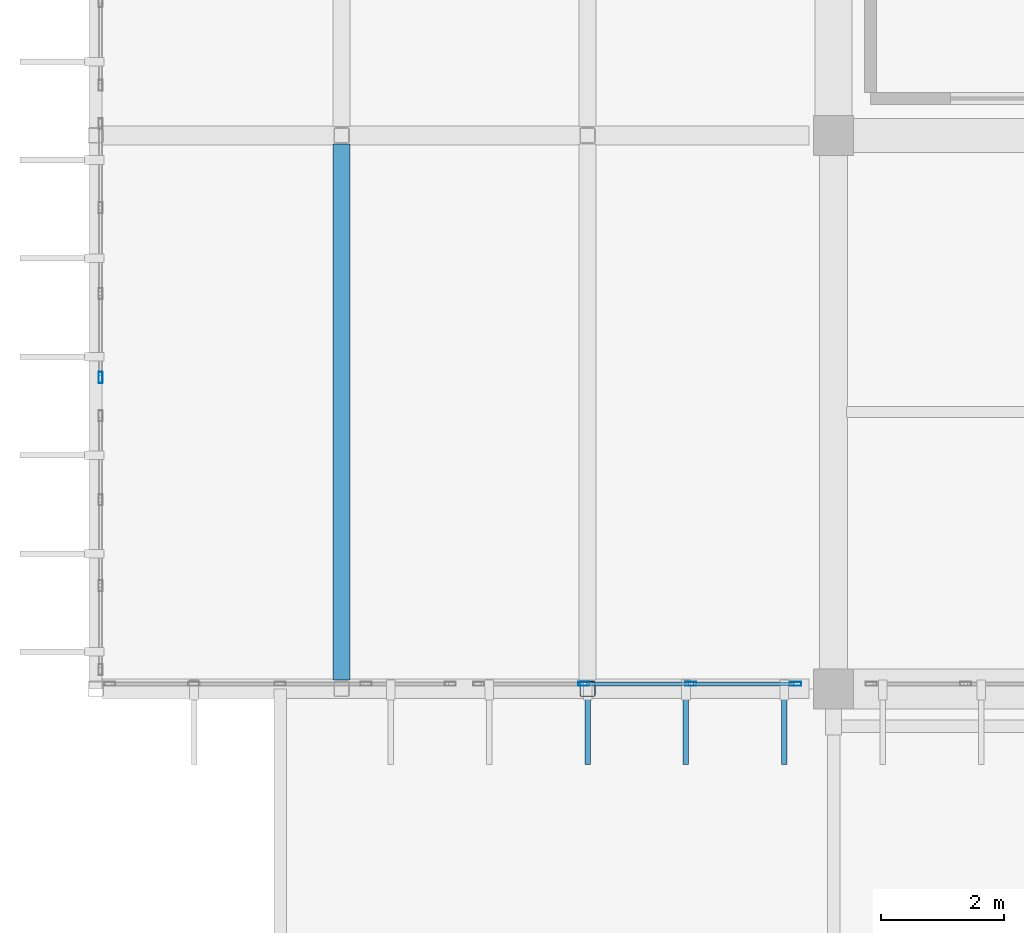
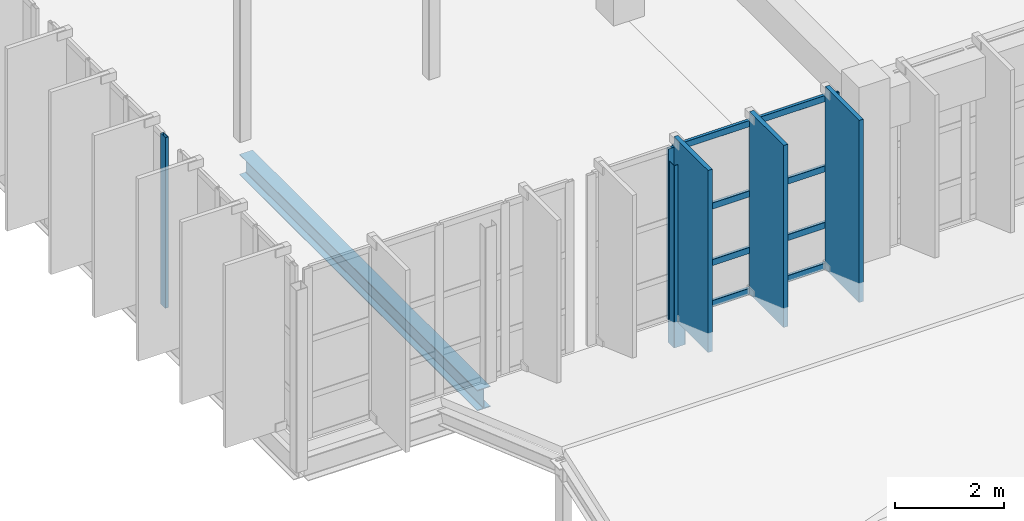
# One storey, part 15 of 80: 16 members, 1 beam, 2 elements without a shape of their own.
"""IFC4 building model written with IfcOpenShell, lengths in metres."""

from ifc_helpers import new_model, si_unit, direction, frame, origin, origin_2d, place, context, subcontext, project, spatial, rectangle, hollow_rectangle, i_section, extrude, material, material_profile, profile_set, type_object, element, aggregate, save


model = new_model("IFC4")

# Units and contexts
model_context = context("Model", 3, precision=1e-05, world=origin(), true_north=direction((0.0, 1.0)))
body_context = subcontext(model_context, "Body", "Model", "MODEL_VIEW")
ifc_project = project(units=[si_unit("LENGTHUNIT", "METRE"), si_unit("AREAUNIT", "SQUARE_METRE"), si_unit("VOLUMEUNIT", "CUBIC_METRE"), si_unit("PLANEANGLEUNIT", "RADIAN"), si_unit("MASSUNIT", "GRAM", prefix="KILO")], contexts=[model_context])

# Site, building, storey
site_placement = place(None, origin())
site = spatial("IfcSite", under=ifc_project, at=site_placement, CompositionType="ELEMENT")
building_placement = place(site_placement, origin())
building = spatial("IfcBuilding", under=site, at=building_placement, Name="Miravela Opera House", CompositionType="ELEMENT")
storey_placement = place(building_placement, frame((0.0, 0.0, 17.679931640625)))
storey = spatial("IfcBuildingStorey", under=building, at=storey_placement, Name="L04", CompositionType="ELEMENT", Elevation=17.679931640625)

# Curtain wall, member
ifc_material_1 = material(Name="Anodised architectural bronze aluminium 6063-T6", Category="aluminium")
curtain_wall_type = type_object("IfcCurtainWallType", Name="ARC-CW-02", PredefinedType="NOTDEFINED", material=ifc_material_1)
curtain_wall_1_placement = place(storey_placement, origin())
curtain_wall_1 = element("IfcCurtainWall", 1, at=curtain_wall_1_placement, inside=storey, type_object=curtain_wall_type, Name="Cantilever West Wrapper Glazing B2 CW-L04-028", PredefinedType="NOTDEFINED")
ifc_material_profile_1 = material_profile(ifc_material_1, hollow_rectangle(XDim=0.06494140625, YDim=0.179931640625, WallThickness=0.00390625, InnerFilletRadius=0.001953125, OuterFilletRadius=0.00390625, at=origin_2d()), Name="CWM-65X180")
ifc_profile_set_1 = profile_set([ifc_material_profile_1])
member_type_1 = type_object("IfcMemberType", Name="ARC-CWM-180", PredefinedType="MULLION", material=ifc_profile_set_1)
member_1_placement = place(storey_placement, frame((15.080078125, 42.0625, 0.0), z_axis=(0.0, 0.0, 1.0), x_axis=(-1.0, 0.0, 0.0)))
member_1 = element("IfcMember", 2, at=member_1_placement, type_object=member_type_1, Name="CW-02 mullion 1", PredefinedType="MULLION", context=body_context, shape_type="SweptSolid", body=[
    extrude(hollow_rectangle(XDim=0.06494140625, YDim=0.179931640625, WallThickness=0.00390625, InnerFilletRadius=0.001953125, OuterFilletRadius=0.00390625, at=origin_2d()), origin(), (0.0, 0.0, 1.0), 3.820068359375),
])
aggregate(curtain_wall_1, [member_1])

# Curtain wall, members
curtain_wall_2_placement = place(storey_placement, origin())
curtain_wall_2 = element("IfcCurtainWall", 3, at=curtain_wall_2_placement, inside=storey, type_object=curtain_wall_type, Name="Auditorium South Wrapper Glazing CW-L04-038", PredefinedType="NOTDEFINED")
member_2_placement = place(storey_placement, frame((22.93994140625, 37.080078125, 0.0), z_axis=(0.0, 0.0, 1.0), x_axis=(0.0, 1.0, 0.0)))
member_2 = element("IfcMember", 4, at=member_2_placement, type_object=member_type_1, Name="CW-02 mullion 2", PredefinedType="MULLION", context=body_context, shape_type="SweptSolid", body=[
    extrude(hollow_rectangle(XDim=0.06494140625, YDim=0.179931640625, WallThickness=0.00390625, InnerFilletRadius=0.001953125, OuterFilletRadius=0.00390625, at=origin_2d()), origin(), (0.0, 0.0, 1.0), 3.820068359375),
])
member_3_placement = place(storey_placement, frame((24.679931640625, 37.080078125, 0.0), z_axis=(0.0, 0.0, 1.0), x_axis=(0.0, 1.0, 0.0)))
member_3 = element("IfcMember", 5, at=member_3_placement, type_object=member_type_1, Name="CW-02 mullion 3", PredefinedType="MULLION", context=body_context, shape_type="SweptSolid", body=[
    extrude(hollow_rectangle(XDim=0.06494140625, YDim=0.179931640625, WallThickness=0.00390625, InnerFilletRadius=0.001953125, OuterFilletRadius=0.00390625, at=origin_2d()), origin(), (0.0, 0.0, 1.0), 3.820068359375),
])
member_4_placement = place(storey_placement, frame((26.387451171875, 37.080078125, 0.0), z_axis=(0.0, 0.0, 1.0), x_axis=(0.0, 1.0, 0.0)))
member_4 = element("IfcMember", 6, at=member_4_placement, type_object=member_type_1, Name="CW-02 mullion 4", PredefinedType="MULLION", context=body_context, shape_type="SweptSolid", body=[
    extrude(hollow_rectangle(XDim=0.06494140625, YDim=0.179931640625, WallThickness=0.00390625, InnerFilletRadius=0.001953125, OuterFilletRadius=0.00390625, at=origin_2d()), origin(), (0.0, 0.0, 1.0), 3.820068359375),
])
ifc_material_profile_2 = material_profile(ifc_material_1, hollow_rectangle(XDim=0.06494140625, YDim=0.139892578125, WallThickness=0.00390625, InnerFilletRadius=0.001953125, OuterFilletRadius=0.00390625, at=origin_2d()), Name="CWT-65X140")
ifc_profile_set_2 = profile_set([ifc_material_profile_2])
member_type_2 = type_object("IfcMemberType", Name="ARC-CWT-140", PredefinedType="USERDEFINED", material=ifc_profile_set_2)
member_5_placement = place(storey_placement, frame((22.972412109375, 37.080078125, 0.032470703125), z_axis=(1.0, 0.0, 0.0), x_axis=(0.0, 1.0, 0.0)))
member_5 = element("IfcMember", 7, at=member_5_placement, type_object=member_type_2, Name="CW-02 transom 2.1", ObjectType="TRANSOM", PredefinedType="USERDEFINED", context=body_context, shape_type="SweptSolid", body=[
    extrude(hollow_rectangle(XDim=0.06494140625, YDim=0.139892578125, WallThickness=0.00390625, InnerFilletRadius=0.001953125, OuterFilletRadius=0.00390625, at=origin_2d()), origin(), (0.0, 0.0, 1.0), 1.675048828125),
])
member_6_placement = place(storey_placement, frame((22.972412109375, 37.080078125, 0.949951171875), z_axis=(1.0, 0.0, 0.0), x_axis=(0.0, 1.0, 0.0)))
member_6 = element("IfcMember", 8, at=member_6_placement, type_object=member_type_2, Name="CW-02 transom 2.2", ObjectType="TRANSOM", PredefinedType="USERDEFINED", context=body_context, shape_type="SweptSolid", body=[
    extrude(hollow_rectangle(XDim=0.06494140625, YDim=0.139892578125, WallThickness=0.00390625, InnerFilletRadius=0.001953125, OuterFilletRadius=0.00390625, at=origin_2d()), origin(), (0.0, 0.0, 1.0), 1.675048828125),
])
member_7_placement = place(storey_placement, frame((22.972412109375, 37.080078125, 2.215576171875), z_axis=(1.0, 0.0, 0.0), x_axis=(0.0, 1.0, 0.0)))
member_7 = element("IfcMember", 9, at=member_7_placement, type_object=member_type_2, Name="CW-02 transom 2.3", ObjectType="TRANSOM", PredefinedType="USERDEFINED", context=body_context, shape_type="SweptSolid", body=[
    extrude(hollow_rectangle(XDim=0.06494140625, YDim=0.139892578125, WallThickness=0.00390625, InnerFilletRadius=0.001953125, OuterFilletRadius=0.00390625, at=origin_2d()), origin(), (0.0, 0.0, 1.0), 1.675048828125),
])
member_8_placement = place(storey_placement, frame((22.972412109375, 37.080078125, 3.78759765625), z_axis=(1.0, 0.0, 0.0), x_axis=(0.0, 1.0, 0.0)))
member_8 = element("IfcMember", 10, at=member_8_placement, type_object=member_type_2, Name="CW-02 transom 2.4", ObjectType="TRANSOM", PredefinedType="USERDEFINED", context=body_context, shape_type="SweptSolid", body=[
    extrude(hollow_rectangle(XDim=0.06494140625, YDim=0.139892578125, WallThickness=0.00390625, InnerFilletRadius=0.001953125, OuterFilletRadius=0.00390625, at=origin_2d()), origin(), (0.0, 0.0, 1.0), 1.675048828125),
])
member_9_placement = place(storey_placement, frame((24.71240234375, 37.080078125, 0.032470703125), z_axis=(1.0, 0.0, 0.0), x_axis=(0.0, 1.0, 0.0)))
member_9 = element("IfcMember", 11, at=member_9_placement, type_object=member_type_2, Name="CW-02 transom 3.1", ObjectType="TRANSOM", PredefinedType="USERDEFINED", context=body_context, shape_type="SweptSolid", body=[
    extrude(hollow_rectangle(XDim=0.06494140625, YDim=0.139892578125, WallThickness=0.00390625, InnerFilletRadius=0.001953125, OuterFilletRadius=0.00390625, at=origin_2d()), origin(), (0.0, 0.0, 1.0), 1.642578125),
])
member_10_placement = place(storey_placement, frame((24.71240234375, 37.080078125, 0.949951171875), z_axis=(1.0, 0.0, 0.0), x_axis=(0.0, 1.0, 0.0)))
member_10 = element("IfcMember", 12, at=member_10_placement, type_object=member_type_2, Name="CW-02 transom 3.2", ObjectType="TRANSOM", PredefinedType="USERDEFINED", context=body_context, shape_type="SweptSolid", body=[
    extrude(hollow_rectangle(XDim=0.06494140625, YDim=0.139892578125, WallThickness=0.00390625, InnerFilletRadius=0.001953125, OuterFilletRadius=0.00390625, at=origin_2d()), origin(), (0.0, 0.0, 1.0), 1.642578125),
])
member_11_placement = place(storey_placement, frame((24.71240234375, 37.080078125, 2.215576171875), z_axis=(1.0, 0.0, 0.0), x_axis=(0.0, 1.0, 0.0)))
member_11 = element("IfcMember", 13, at=member_11_placement, type_object=member_type_2, Name="CW-02 transom 3.3", ObjectType="TRANSOM", PredefinedType="USERDEFINED", context=body_context, shape_type="SweptSolid", body=[
    extrude(hollow_rectangle(XDim=0.06494140625, YDim=0.139892578125, WallThickness=0.00390625, InnerFilletRadius=0.001953125, OuterFilletRadius=0.00390625, at=origin_2d()), origin(), (0.0, 0.0, 1.0), 1.642578125),
])
member_12_placement = place(storey_placement, frame((24.71240234375, 37.080078125, 3.78759765625), z_axis=(1.0, 0.0, 0.0), x_axis=(0.0, 1.0, 0.0)))
member_12 = element("IfcMember", 14, at=member_12_placement, type_object=member_type_2, Name="CW-02 transom 3.4", ObjectType="TRANSOM", PredefinedType="USERDEFINED", context=body_context, shape_type="SweptSolid", body=[
    extrude(hollow_rectangle(XDim=0.06494140625, YDim=0.139892578125, WallThickness=0.00390625, InnerFilletRadius=0.001953125, OuterFilletRadius=0.00390625, at=origin_2d()), origin(), (0.0, 0.0, 1.0), 1.642578125),
])
aggregate(curtain_wall_2, [member_2, member_3, member_4, member_5, member_6, member_7, member_8, member_9, member_10, member_11, member_12])

# Members
ifc_material_profile_3 = material_profile(ifc_material_1, rectangle(XDim=0.090087890625, YDim=1.25, at=origin_2d()), Name="FIN-1250X90")
ifc_profile_set_3 = profile_set([ifc_material_profile_3])
member_type_3 = type_object("IfcMemberType", Name="ARC-FIN-1250", PredefinedType="USERDEFINED", material=ifc_profile_set_3)
for number, where, z_axis, x_axis, name in (
    (15, (23.0, 36.39501953125, 0.0), (0.0, 0.0, 1.0), (1.0, 0.0, 0.0), "Auditorium Wrapper Bronze Solar Fin FIN-L04-SOUTH-0104"),
    (16, (24.60009765625, 36.39501953125, 0.0), (0.0, 0.0, 1.0), (1.0, 0.0, 0.0), "Auditorium Wrapper Bronze Solar Fin FIN-L04-SOUTH-0106"),
    (17, (26.199951171875, 36.39501953125, 0.0), (0.0, 0.0, 1.0), (1.0, 0.0, 0.0), "Auditorium Wrapper Bronze Solar Fin FIN-L04-SOUTH-0108"),
):
    element("IfcMember", number, at=place(storey_placement, frame(where, z_axis=z_axis, x_axis=x_axis)), inside=storey, type_object=member_type_3, Name=name, ObjectType="FIN", PredefinedType="USERDEFINED", context=body_context, shape_type="SweptSolid", body=[
        extrude(rectangle(XDim=0.090087890625, YDim=1.25, at=origin_2d()), origin(), (0.0, 0.0, 1.0), 4.080078125),
    ])

# Beam
ifc_material_2 = material(Name="Structural steel ASTM A992 Gr. 50", Category="steel")
ifc_material_profile_4 = material_profile(ifc_material_2, i_section(OverallWidth=0.280029296875, OverallDepth=0.462890625, WebThickness=0.0107421875, FlangeThickness=0.017333984375, FilletRadius=0.014892578125, at=origin_2d()), Name="W460X113")
ifc_profile_set_4 = profile_set([ifc_material_profile_4])
beam_type = type_object("IfcBeamType", Name="STR-BM-W460X113", PredefinedType="BEAM", material=ifc_profile_set_4)
beam_placement = place(storey_placement, frame((19.0, 37.14111328125, -0.471435546875), z_axis=(0.0, 1.0, 0.0), x_axis=(-1.0, 0.0, 0.0)))
element("IfcBeam", 18, at=beam_placement, inside=storey, type_object=beam_type, Name="Cantilever Overhang Beam L04 X=19", PredefinedType="BEAM", context=body_context, shape_type="SweptSolid", body=[
    extrude(i_section(OverallWidth=0.280029296875, OverallDepth=0.462890625, WebThickness=0.0107421875, FlangeThickness=0.017333984375, FilletRadius=0.014892578125, at=origin_2d()), origin(), (0.0, 0.0, 1.0), 8.7177734375),
])

# Member
ifc_material_3 = material(Name="Hollow structural steel ASTM A500 Gr. C", Category="steel")
ifc_material_profile_5 = material_profile(ifc_material_3, hollow_rectangle(XDim=0.25, YDim=0.25, WallThickness=0.011962890625, InnerFilletRadius=0.011962890625, OuterFilletRadius=0.02392578125, at=origin_2d()), Name="HSS250X250X12")
ifc_profile_set_5 = profile_set([ifc_material_profile_5])
member_type_4 = type_object("IfcMemberType", Name="STR-MEM-CANT-POST2", PredefinedType="POST", material=ifc_profile_set_5)
member_13_placement = place(storey_placement, frame((23.0, 37.0, -0.5400390625), z_axis=(0.0, 0.0, 1.0), x_axis=(1.0, 0.0, 0.0)))
element("IfcMember", 19, at=member_13_placement, inside=storey, type_object=member_type_4, Name="Upper Wrapper Truss Post L04 X=23.0", PredefinedType="POST", context=body_context, shape_type="SweptSolid", body=[
    extrude(hollow_rectangle(XDim=0.25, YDim=0.25, WallThickness=0.011962890625, InnerFilletRadius=0.011962890625, OuterFilletRadius=0.02392578125, at=origin_2d()), origin(), (0.0, 0.0, 1.0), 4.080078125),
])

save(model, "model.ifc")
